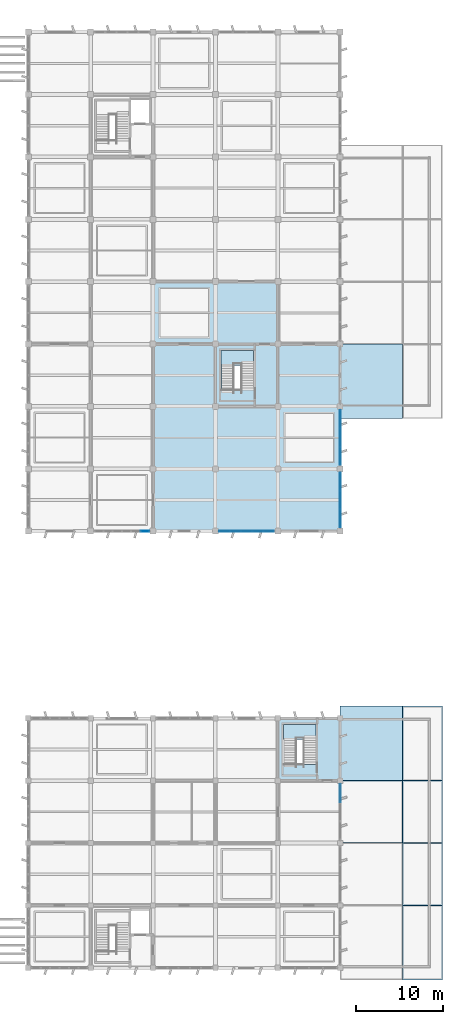
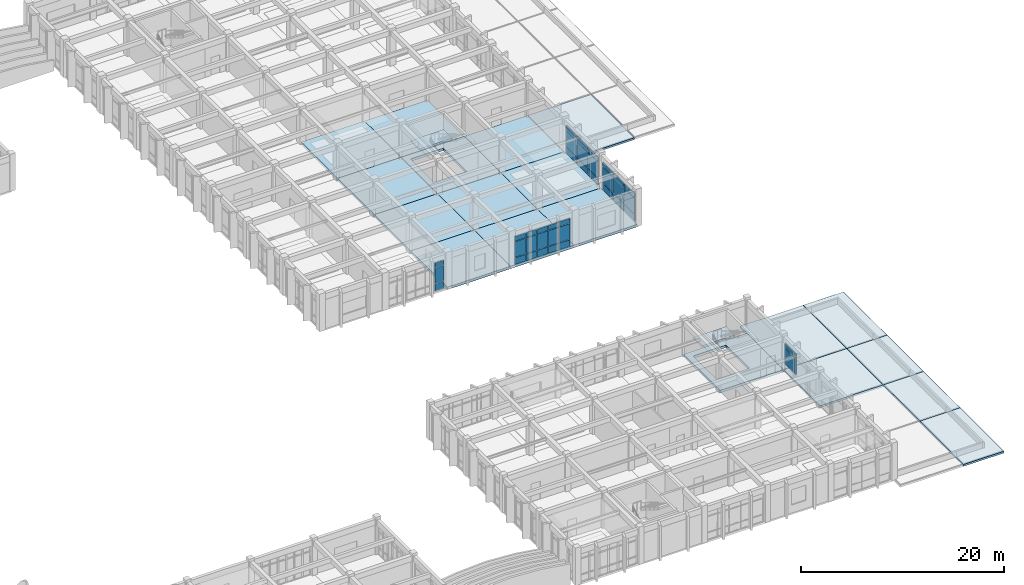
# One storey, part 51 of 81: 38 plates, 21 slabs, 7 elements without a shape of their own.
"""IFC4 building model written with IfcOpenShell, lengths in metres."""

from ifc_helpers import new_model, si_unit, direction, frame, origin, origin_2d, place, context, subcontext, project, spatial, polyline, rectangle, outline, extrude, material, layer, layer_set, type_object, element, aggregate, save


model = new_model("IFC4")

# Units and contexts
model_context = context("Model", 3, precision=1e-05, world=origin(), true_north=direction((0.0, 1.0)))
body_context = subcontext(model_context, "Body", "Model", "MODEL_VIEW")
ifc_project = project(units=[si_unit("LENGTHUNIT", "METRE"), si_unit("AREAUNIT", "SQUARE_METRE"), si_unit("VOLUMEUNIT", "CUBIC_METRE"), si_unit("PLANEANGLEUNIT", "RADIAN"), si_unit("MASSUNIT", "GRAM", prefix="KILO")], contexts=[model_context])

# Site, building, storey
site_placement = place(None, origin())
site = spatial("IfcSite", under=ifc_project, at=site_placement, CompositionType="ELEMENT")
building_placement = place(site_placement, origin())
building = spatial("IfcBuilding", under=site, at=building_placement, Name="Kavelor Marine Aquarium", CompositionType="ELEMENT")
storey_placement = place(building_placement, frame((0.0, 0.0, 4.679931640625)))
storey = spatial("IfcBuildingStorey", under=building, at=storey_placement, Name="L01", CompositionType="ELEMENT", Elevation=4.679931640625)

# Curtain wall, plates
ifc_material_1 = material(Name="Thermally Broken Aluminium and Low-E Glass", Category="aluminium")
ifc_layer_1 = layer(ifc_material_1, 0.179931640625)
ifc_layer_set_1 = layer_set([ifc_layer_1], Name="CW-SYS5")
curtain_wall_type_1 = type_object("IfcCurtainWallType", Name="CW-SYS5", PredefinedType="USERDEFINED", material=ifc_layer_set_1)
curtain_wall_1_placement = place(storey_placement, origin())
curtain_wall_1 = element("IfcCurtainWall", 1, at=curtain_wall_1_placement, inside=storey, type_object=curtain_wall_type_1, Name="cw:x:L01:17_07", ObjectType="Curtain Wall", PredefinedType="USERDEFINED")
ifc_material_2 = material(Name="Solar-Control Double Low-E Glazing", Category="glass")
ifc_layer_2 = layer(ifc_material_2, 0.08203125)
ifc_layer_set_2 = layer_set([ifc_layer_2], Name="CWP-29")
plate_type_1 = type_object("IfcPlateType", Name="CWP-29", PredefinedType="CURTAIN_PANEL", material=ifc_layer_set_2)
plate_1_placement = place(storey_placement, frame((131.8544921875, 53.199951171875, 0.06005859375), z_axis=(0.0, 0.0, 1.0), x_axis=(-1.0, 0.0, 0.0)))
plate_1 = element("IfcPlate", 2, at=plate_1_placement, type_object=plate_type_1, Name="CW05 panel 1.1", PredefinedType="CURTAIN_PANEL", context=body_context, shape_type="SweptSolid", body=[
    extrude(rectangle(XDim=0.970947265625, YDim=0.08203125, at=origin_2d()), origin(), (0.0, 0.0, 1.0), 0.81005859375),
])
plate_2_placement = place(storey_placement, frame((131.8544921875, 53.199951171875, 0.93017578125), z_axis=(0.0, 0.0, 1.0), x_axis=(-1.0, 0.0, 0.0)))
plate_2 = element("IfcPlate", 3, at=plate_2_placement, type_object=plate_type_1, Name="CW05 panel 1.2", PredefinedType="CURTAIN_PANEL", context=body_context, shape_type="SweptSolid", body=[
    extrude(rectangle(XDim=0.970947265625, YDim=0.08203125, at=origin_2d()), origin(), (0.0, 0.0, 1.0), 1.8798828125),
])
plate_3_placement = place(storey_placement, frame((131.8544921875, 53.199951171875, 2.8701171875), z_axis=(0.0, 0.0, 1.0), x_axis=(-1.0, 0.0, 0.0)))
plate_3 = element("IfcPlate", 4, at=plate_3_placement, type_object=plate_type_1, Name="CW05 panel 1.3", PredefinedType="CURTAIN_PANEL", context=body_context, shape_type="SweptSolid", body=[
    extrude(rectangle(XDim=0.970947265625, YDim=0.08203125, at=origin_2d()), origin(), (0.0, 0.0, 1.0), 0.56005859375),
])
aggregate(curtain_wall_1, [plate_1, plate_2, plate_3])

ifc_material_3 = material(Name="Thermally Broken Aluminium and Low-E Glass", Category="aluminium")
ifc_layer_3 = layer(ifc_material_3, 0.283935546875)
ifc_layer_set_3 = layer_set([ifc_layer_3], Name="CW-SYS18")
curtain_wall_type_2 = type_object("IfcCurtainWallType", Name="CW-SYS18", PredefinedType="USERDEFINED", material=ifc_layer_set_3)
curtain_wall_2_placement = place(storey_placement, origin())
curtain_wall_2 = element("IfcCurtainWall", 5, at=curtain_wall_2_placement, inside=storey, type_object=curtain_wall_type_2, Name="cw:y:L01:21_02", ObjectType="Curtain Wall", PredefinedType="USERDEFINED")
ifc_material_4 = material(Name="Solar-Control Double Low-E Glazing", Category="glass")
ifc_layer_4 = layer(ifc_material_4, 0.083984375)
ifc_layer_set_4 = layer_set([ifc_layer_4], Name="CWP-30")
plate_type_2 = type_object("IfcPlateType", Name="CWP-30", PredefinedType="CURTAIN_PANEL", material=ifc_layer_set_4)
plate_4_placement = place(storey_placement, frame((154.39990234375, 22.955078125, 0.9375), z_axis=(0.0, 0.0, 1.0), x_axis=(0.0, 1.0, 0.0)))
plate_4 = element("IfcPlate", 6, at=plate_4_placement, type_object=plate_type_2, Name="CW18 panel 3.2", PredefinedType="CURTAIN_PANEL", context=body_context, shape_type="SweptSolid", body=[
    extrude(rectangle(XDim=2.080078125, YDim=0.083984375, at=origin_2d()), origin(), (0.0, 0.0, 1.0), 1.864990234375),
])
plate_5_placement = place(storey_placement, frame((154.39990234375, 22.955078125, 2.87744140625), z_axis=(0.0, 0.0, 1.0), x_axis=(0.0, 1.0, 0.0)))
plate_5 = element("IfcPlate", 7, at=plate_5_placement, type_object=plate_type_2, Name="CW18 panel 3.3", PredefinedType="CURTAIN_PANEL", context=body_context, shape_type="SweptSolid", body=[
    extrude(rectangle(XDim=2.080078125, YDim=0.083984375, at=origin_2d()), origin(), (0.0, 0.0, 1.0), 0.53759765625),
])
aggregate(curtain_wall_2, [plate_4, plate_5])

ifc_material_5 = material(Name="Thermally Broken Aluminium and Low-E Glass", Category="aluminium")
ifc_layer_5 = layer(ifc_material_5, 0.2919921875)
ifc_layer_set_5 = layer_set([ifc_layer_5], Name="CW-SYS19")
curtain_wall_type_3 = type_object("IfcCurtainWallType", Name="CW-SYS19", PredefinedType="USERDEFINED", material=ifc_layer_set_5)
curtain_wall_3_placement = place(storey_placement, origin())
curtain_wall_3 = element("IfcCurtainWall", 8, at=curtain_wall_3_placement, inside=storey, type_object=curtain_wall_type_3, Name="cw:y:L01:21_07", ObjectType="Curtain Wall", PredefinedType="USERDEFINED")
ifc_material_6 = material(Name="Laminated Cast Acrylic Viewing Glazing", Category="glass")
ifc_layer_6 = layer(ifc_material_6, 0.0859375)
ifc_layer_set_6 = layer_set([ifc_layer_6], Name="CWP-31")
plate_type_3 = type_object("IfcPlateType", Name="CWP-31", PredefinedType="CURTAIN_PANEL", material=ifc_layer_set_6)
plate_6_placement = place(storey_placement, frame((154.39990234375, 54.68212890625, 0.074951171875), z_axis=(0.0, 0.0, 1.0), x_axis=(0.0, 1.0, 0.0)))
plate_6 = element("IfcPlate", 9, at=plate_6_placement, type_object=plate_type_3, Name="CW19 panel 1.1", PredefinedType="CURTAIN_PANEL", context=body_context, shape_type="SweptSolid", body=[
    extrude(rectangle(XDim=2.024169921875, YDim=0.0859375, at=origin_2d()), origin(), (0.0, 0.0, 1.0), 0.78759765625),
])
plate_7_placement = place(storey_placement, frame((154.39990234375, 54.68212890625, 0.9375), z_axis=(0.0, 0.0, 1.0), x_axis=(0.0, 1.0, 0.0)))
plate_7 = element("IfcPlate", 10, at=plate_7_placement, type_object=plate_type_3, Name="CW19 panel 1.2", PredefinedType="CURTAIN_PANEL", context=body_context, shape_type="SweptSolid", body=[
    extrude(rectangle(XDim=2.024169921875, YDim=0.0859375, at=origin_2d()), origin(), (0.0, 0.0, 1.0), 1.885009765625),
])
plate_8_placement = place(storey_placement, frame((154.39990234375, 54.68212890625, 2.8974609375), z_axis=(0.0, 0.0, 1.0), x_axis=(0.0, 1.0, 0.0)))
plate_8 = element("IfcPlate", 11, at=plate_8_placement, type_object=plate_type_3, Name="CW19 panel 1.3", PredefinedType="CURTAIN_PANEL", context=body_context, shape_type="SweptSolid", body=[
    extrude(rectangle(XDim=2.024169921875, YDim=0.0859375, at=origin_2d()), origin(), (0.0, 0.0, 1.0), 0.53759765625),
])
plate_9_placement = place(storey_placement, frame((154.39990234375, 56.800048828125, 0.074951171875), z_axis=(0.0, 0.0, 1.0), x_axis=(0.0, 1.0, 0.0)))
plate_9 = element("IfcPlate", 12, at=plate_9_placement, type_object=plate_type_3, Name="CW19 panel 2.1", PredefinedType="CURTAIN_PANEL", context=body_context, shape_type="SweptSolid", body=[
    extrude(rectangle(XDim=2.061767578125, YDim=0.0859375, at=origin_2d()), origin(), (0.0, 0.0, 1.0), 0.78759765625),
])
plate_10_placement = place(storey_placement, frame((154.39990234375, 56.800048828125, 0.9375), z_axis=(0.0, 0.0, 1.0), x_axis=(0.0, 1.0, 0.0)))
plate_10 = element("IfcPlate", 13, at=plate_10_placement, type_object=plate_type_3, Name="CW19 panel 2.2", PredefinedType="CURTAIN_PANEL", context=body_context, shape_type="SweptSolid", body=[
    extrude(rectangle(XDim=2.061767578125, YDim=0.0859375, at=origin_2d()), origin(), (0.0, 0.0, 1.0), 1.885009765625),
])
plate_11_placement = place(storey_placement, frame((154.39990234375, 56.800048828125, 2.8974609375), z_axis=(0.0, 0.0, 1.0), x_axis=(0.0, 1.0, 0.0)))
plate_11 = element("IfcPlate", 14, at=plate_11_placement, type_object=plate_type_3, Name="CW19 panel 2.3", PredefinedType="CURTAIN_PANEL", context=body_context, shape_type="SweptSolid", body=[
    extrude(rectangle(XDim=2.061767578125, YDim=0.0859375, at=origin_2d()), origin(), (0.0, 0.0, 1.0), 0.53759765625),
])
plate_12_placement = place(storey_placement, frame((154.39990234375, 58.91796875, 0.074951171875), z_axis=(0.0, 0.0, 1.0), x_axis=(0.0, 1.0, 0.0)))
plate_12 = element("IfcPlate", 15, at=plate_12_placement, type_object=plate_type_3, Name="CW19 panel 3.1", PredefinedType="CURTAIN_PANEL", context=body_context, shape_type="SweptSolid", body=[
    extrude(rectangle(XDim=2.024169921875, YDim=0.0859375, at=origin_2d()), origin(), (0.0, 0.0, 1.0), 0.78759765625),
])
plate_13_placement = place(storey_placement, frame((154.39990234375, 58.91796875, 0.9375), z_axis=(0.0, 0.0, 1.0), x_axis=(0.0, 1.0, 0.0)))
plate_13 = element("IfcPlate", 16, at=plate_13_placement, type_object=plate_type_3, Name="CW19 panel 3.2", PredefinedType="CURTAIN_PANEL", context=body_context, shape_type="SweptSolid", body=[
    extrude(rectangle(XDim=2.024169921875, YDim=0.0859375, at=origin_2d()), origin(), (0.0, 0.0, 1.0), 1.885009765625),
])
plate_14_placement = place(storey_placement, frame((154.39990234375, 58.91796875, 2.8974609375), z_axis=(0.0, 0.0, 1.0), x_axis=(0.0, 1.0, 0.0)))
plate_14 = element("IfcPlate", 17, at=plate_14_placement, type_object=plate_type_3, Name="CW19 panel 3.3", PredefinedType="CURTAIN_PANEL", context=body_context, shape_type="SweptSolid", body=[
    extrude(rectangle(XDim=2.024169921875, YDim=0.0859375, at=origin_2d()), origin(), (0.0, 0.0, 1.0), 0.53759765625),
])
aggregate(curtain_wall_3, [plate_6, plate_7, plate_8, plate_9, plate_10, plate_11, plate_12, plate_13, plate_14])

ifc_material_7 = material(Name="Thermally Broken Aluminium and Low-E Glass", Category="aluminium")
ifc_layer_7 = layer(ifc_material_7, 0.300048828125)
ifc_layer_set_7 = layer_set([ifc_layer_7], Name="CW-SYS20")
curtain_wall_type_4 = type_object("IfcCurtainWallType", Name="CW-SYS20", PredefinedType="USERDEFINED", material=ifc_layer_set_7)
curtain_wall_4_placement = place(storey_placement, origin())
curtain_wall_4 = element("IfcCurtainWall", 18, at=curtain_wall_4_placement, inside=storey, type_object=curtain_wall_type_4, Name="cw:y:L01:21_08", ObjectType="Curtain Wall", PredefinedType="USERDEFINED")
ifc_material_8 = material(Name="Laminated Cast Acrylic Viewing Glazing", Category="glass")
ifc_layer_8 = layer(ifc_material_8, 0.087890625)
ifc_layer_set_8 = layer_set([ifc_layer_8], Name="CWP-32")
plate_type_4 = type_object("IfcPlateType", Name="CWP-32", PredefinedType="CURTAIN_PANEL", material=ifc_layer_set_8)
plate_15_placement = place(storey_placement, frame((154.39990234375, 61.879638671875, 0.06494140625), z_axis=(0.0, 0.0, 1.0), x_axis=(0.0, 1.0, 0.0)))
plate_15 = element("IfcPlate", 19, at=plate_15_placement, type_object=plate_type_4, Name="CW20 panel 1.1", PredefinedType="CURTAIN_PANEL", context=body_context, shape_type="SweptSolid", body=[
    extrude(rectangle(XDim=2.0390625, YDim=0.087890625, at=origin_2d()), origin(), (0.0, 0.0, 1.0), 0.802490234375),
])
plate_16_placement = place(storey_placement, frame((154.39990234375, 61.879638671875, 0.9326171875), z_axis=(0.0, 0.0, 1.0), x_axis=(0.0, 1.0, 0.0)))
plate_16 = element("IfcPlate", 20, at=plate_16_placement, type_object=plate_type_4, Name="CW20 panel 1.2", PredefinedType="CURTAIN_PANEL", context=body_context, shape_type="SweptSolid", body=[
    extrude(rectangle(XDim=2.0390625, YDim=0.087890625, at=origin_2d()), origin(), (0.0, 0.0, 1.0), 1.875),
])
plate_17_placement = place(storey_placement, frame((154.39990234375, 61.879638671875, 2.87255859375), z_axis=(0.0, 0.0, 1.0), x_axis=(0.0, 1.0, 0.0)))
plate_17 = element("IfcPlate", 21, at=plate_17_placement, type_object=plate_type_4, Name="CW20 panel 1.3", PredefinedType="CURTAIN_PANEL", context=body_context, shape_type="SweptSolid", body=[
    extrude(rectangle(XDim=2.0390625, YDim=0.087890625, at=origin_2d()), origin(), (0.0, 0.0, 1.0), 0.552490234375),
])
plate_18_placement = place(storey_placement, frame((154.39990234375, 64.0, 0.06494140625), z_axis=(0.0, 0.0, 1.0), x_axis=(0.0, 1.0, 0.0)))
plate_18 = element("IfcPlate", 22, at=plate_18_placement, type_object=plate_type_4, Name="CW20 panel 2.1", PredefinedType="CURTAIN_PANEL", context=body_context, shape_type="SweptSolid", body=[
    extrude(rectangle(XDim=2.07177734375, YDim=0.087890625, at=origin_2d()), origin(), (0.0, 0.0, 1.0), 0.802490234375),
])
plate_19_placement = place(storey_placement, frame((154.39990234375, 64.0, 0.9326171875), z_axis=(0.0, 0.0, 1.0), x_axis=(0.0, 1.0, 0.0)))
plate_19 = element("IfcPlate", 23, at=plate_19_placement, type_object=plate_type_4, Name="CW20 panel 2.2", PredefinedType="CURTAIN_PANEL", context=body_context, shape_type="SweptSolid", body=[
    extrude(rectangle(XDim=2.07177734375, YDim=0.087890625, at=origin_2d()), origin(), (0.0, 0.0, 1.0), 1.875),
])
plate_20_placement = place(storey_placement, frame((154.39990234375, 64.0, 2.87255859375), z_axis=(0.0, 0.0, 1.0), x_axis=(0.0, 1.0, 0.0)))
plate_20 = element("IfcPlate", 24, at=plate_20_placement, type_object=plate_type_4, Name="CW20 panel 2.3", PredefinedType="CURTAIN_PANEL", context=body_context, shape_type="SweptSolid", body=[
    extrude(rectangle(XDim=2.07177734375, YDim=0.087890625, at=origin_2d()), origin(), (0.0, 0.0, 1.0), 0.552490234375),
])
plate_21_placement = place(storey_placement, frame((154.39990234375, 66.120361328125, 0.06494140625), z_axis=(0.0, 0.0, 1.0), x_axis=(0.0, 1.0, 0.0)))
plate_21 = element("IfcPlate", 25, at=plate_21_placement, type_object=plate_type_4, Name="CW20 panel 3.1", PredefinedType="CURTAIN_PANEL", context=body_context, shape_type="SweptSolid", body=[
    extrude(rectangle(XDim=2.0390625, YDim=0.087890625, at=origin_2d()), origin(), (0.0, 0.0, 1.0), 0.802490234375),
])
plate_22_placement = place(storey_placement, frame((154.39990234375, 66.120361328125, 0.9326171875), z_axis=(0.0, 0.0, 1.0), x_axis=(0.0, 1.0, 0.0)))
plate_22 = element("IfcPlate", 26, at=plate_22_placement, type_object=plate_type_4, Name="CW20 panel 3.2", PredefinedType="CURTAIN_PANEL", context=body_context, shape_type="SweptSolid", body=[
    extrude(rectangle(XDim=2.0390625, YDim=0.087890625, at=origin_2d()), origin(), (0.0, 0.0, 1.0), 1.875),
])
plate_23_placement = place(storey_placement, frame((154.39990234375, 66.120361328125, 2.87255859375), z_axis=(0.0, 0.0, 1.0), x_axis=(0.0, 1.0, 0.0)))
plate_23 = element("IfcPlate", 27, at=plate_23_placement, type_object=plate_type_4, Name="CW20 panel 3.3", PredefinedType="CURTAIN_PANEL", context=body_context, shape_type="SweptSolid", body=[
    extrude(rectangle(XDim=2.0390625, YDim=0.087890625, at=origin_2d()), origin(), (0.0, 0.0, 1.0), 0.552490234375),
])
aggregate(curtain_wall_4, [plate_15, plate_16, plate_17, plate_18, plate_19, plate_20, plate_21, plate_22, plate_23])

ifc_material_9 = material(Name="Thermally Broken Aluminium and Low-E Glass", Category="aluminium")
ifc_layer_9 = layer(ifc_material_9, 0.2119140625)
ifc_layer_set_9 = layer_set([ifc_layer_9], Name="CW-SYS9")
curtain_wall_type_5 = type_object("IfcCurtainWallType", Name="CW-SYS9", PredefinedType="USERDEFINED", material=ifc_layer_set_9)
curtain_wall_5_placement = place(storey_placement, origin())
curtain_wall_5 = element("IfcCurtainWall", 28, at=curtain_wall_5_placement, inside=storey, type_object=curtain_wall_type_5, Name="cw:x:L01:19_07", ObjectType="Curtain Wall", PredefinedType="USERDEFINED")
ifc_material_10 = material(Name="Laminated Cast Acrylic Viewing Glazing", Category="glass")
ifc_layer_10 = layer(ifc_material_10, 0.090087890625)
ifc_layer_set_10 = layer_set([ifc_layer_10], Name="CWP-33")
plate_type_5 = type_object("IfcPlateType", Name="CWP-33", PredefinedType="CURTAIN_PANEL", material=ifc_layer_set_10)
plate_24_placement = place(storey_placement, frame((146.14892578125, 53.199951171875, 0.06494140625), z_axis=(0.0, 0.0, 1.0), x_axis=(-1.0, 0.0, 0.0)))
plate_24 = element("IfcPlate", 29, at=plate_24_placement, type_object=plate_type_5, Name="CW09 panel 1.1", PredefinedType="CURTAIN_PANEL", context=body_context, shape_type="SweptSolid", body=[
    extrude(rectangle(XDim=1.19189453125, YDim=0.090087890625, at=origin_2d()), origin(), (0.0, 0.0, 1.0), 0.802490234375),
])
plate_25_placement = place(storey_placement, frame((146.14892578125, 53.199951171875, 0.9326171875), z_axis=(0.0, 0.0, 1.0), x_axis=(-1.0, 0.0, 0.0)))
plate_25 = element("IfcPlate", 30, at=plate_25_placement, type_object=plate_type_5, Name="CW09 panel 1.2", PredefinedType="CURTAIN_PANEL", context=body_context, shape_type="SweptSolid", body=[
    extrude(rectangle(XDim=1.19189453125, YDim=0.090087890625, at=origin_2d()), origin(), (0.0, 0.0, 1.0), 1.875),
])
plate_26_placement = place(storey_placement, frame((146.14892578125, 53.199951171875, 2.87255859375), z_axis=(0.0, 0.0, 1.0), x_axis=(-1.0, 0.0, 0.0)))
plate_26 = element("IfcPlate", 31, at=plate_26_placement, type_object=plate_type_5, Name="CW09 panel 1.3", PredefinedType="CURTAIN_PANEL", context=body_context, shape_type="SweptSolid", body=[
    extrude(rectangle(XDim=1.19189453125, YDim=0.090087890625, at=origin_2d()), origin(), (0.0, 0.0, 1.0), 0.552490234375),
])
plate_27_placement = place(storey_placement, frame((144.882080078125, 53.199951171875, 0.06494140625), z_axis=(0.0, 0.0, 1.0), x_axis=(-1.0, 0.0, 0.0)))
plate_27 = element("IfcPlate", 32, at=plate_27_placement, type_object=plate_type_5, Name="CW09 panel 2.1", PredefinedType="CURTAIN_PANEL", context=body_context, shape_type="SweptSolid", body=[
    extrude(rectangle(XDim=1.221923828125, YDim=0.090087890625, at=origin_2d()), origin(), (0.0, 0.0, 1.0), 0.802490234375),
])
plate_28_placement = place(storey_placement, frame((144.882080078125, 53.199951171875, 0.9326171875), z_axis=(0.0, 0.0, 1.0), x_axis=(-1.0, 0.0, 0.0)))
plate_28 = element("IfcPlate", 33, at=plate_28_placement, type_object=plate_type_5, Name="CW09 panel 2.2", PredefinedType="CURTAIN_PANEL", context=body_context, shape_type="SweptSolid", body=[
    extrude(rectangle(XDim=1.221923828125, YDim=0.090087890625, at=origin_2d()), origin(), (0.0, 0.0, 1.0), 1.875),
])
plate_29_placement = place(storey_placement, frame((144.882080078125, 53.199951171875, 2.87255859375), z_axis=(0.0, 0.0, 1.0), x_axis=(-1.0, 0.0, 0.0)))
plate_29 = element("IfcPlate", 34, at=plate_29_placement, type_object=plate_type_5, Name="CW09 panel 2.3", PredefinedType="CURTAIN_PANEL", context=body_context, shape_type="SweptSolid", body=[
    extrude(rectangle(XDim=1.221923828125, YDim=0.090087890625, at=origin_2d()), origin(), (0.0, 0.0, 1.0), 0.552490234375),
])
plate_30_placement = place(storey_placement, frame((143.60009765625, 53.199951171875, 0.06494140625), z_axis=(0.0, 0.0, 1.0), x_axis=(-1.0, 0.0, 0.0)))
plate_30 = element("IfcPlate", 35, at=plate_30_placement, type_object=plate_type_5, Name="CW09 panel 3.1", PredefinedType="CURTAIN_PANEL", context=body_context, shape_type="SweptSolid", body=[
    extrude(rectangle(XDim=1.221923828125, YDim=0.090087890625, at=origin_2d()), origin(), (0.0, 0.0, 1.0), 0.802490234375),
])
plate_31_placement = place(storey_placement, frame((143.60009765625, 53.199951171875, 0.9326171875), z_axis=(0.0, 0.0, 1.0), x_axis=(-1.0, 0.0, 0.0)))
plate_31 = element("IfcPlate", 36, at=plate_31_placement, type_object=plate_type_5, Name="CW09 panel 3.2", PredefinedType="CURTAIN_PANEL", context=body_context, shape_type="SweptSolid", body=[
    extrude(rectangle(XDim=1.221923828125, YDim=0.090087890625, at=origin_2d()), origin(), (0.0, 0.0, 1.0), 1.875),
])
plate_32_placement = place(storey_placement, frame((143.60009765625, 53.199951171875, 2.87255859375), z_axis=(0.0, 0.0, 1.0), x_axis=(-1.0, 0.0, 0.0)))
plate_32 = element("IfcPlate", 37, at=plate_32_placement, type_object=plate_type_5, Name="CW09 panel 3.3", PredefinedType="CURTAIN_PANEL", context=body_context, shape_type="SweptSolid", body=[
    extrude(rectangle(XDim=1.221923828125, YDim=0.090087890625, at=origin_2d()), origin(), (0.0, 0.0, 1.0), 0.552490234375),
])
plate_33_placement = place(storey_placement, frame((142.318115234375, 53.199951171875, 0.06494140625), z_axis=(0.0, 0.0, 1.0), x_axis=(-1.0, 0.0, 0.0)))
plate_33 = element("IfcPlate", 38, at=plate_33_placement, type_object=plate_type_5, Name="CW09 panel 4.1", PredefinedType="CURTAIN_PANEL", context=body_context, shape_type="SweptSolid", body=[
    extrude(rectangle(XDim=1.221923828125, YDim=0.090087890625, at=origin_2d()), origin(), (0.0, 0.0, 1.0), 0.802490234375),
])
plate_34_placement = place(storey_placement, frame((142.318115234375, 53.199951171875, 0.9326171875), z_axis=(0.0, 0.0, 1.0), x_axis=(-1.0, 0.0, 0.0)))
plate_34 = element("IfcPlate", 39, at=plate_34_placement, type_object=plate_type_5, Name="CW09 panel 4.2", PredefinedType="CURTAIN_PANEL", context=body_context, shape_type="SweptSolid", body=[
    extrude(rectangle(XDim=1.221923828125, YDim=0.090087890625, at=origin_2d()), origin(), (0.0, 0.0, 1.0), 1.875),
])
plate_35_placement = place(storey_placement, frame((142.318115234375, 53.199951171875, 2.87255859375), z_axis=(0.0, 0.0, 1.0), x_axis=(-1.0, 0.0, 0.0)))
plate_35 = element("IfcPlate", 40, at=plate_35_placement, type_object=plate_type_5, Name="CW09 panel 4.3", PredefinedType="CURTAIN_PANEL", context=body_context, shape_type="SweptSolid", body=[
    extrude(rectangle(XDim=1.221923828125, YDim=0.090087890625, at=origin_2d()), origin(), (0.0, 0.0, 1.0), 0.552490234375),
])
plate_36_placement = place(storey_placement, frame((141.051025390625, 53.199951171875, 0.06494140625), z_axis=(0.0, 0.0, 1.0), x_axis=(-1.0, 0.0, 0.0)))
plate_36 = element("IfcPlate", 41, at=plate_36_placement, type_object=plate_type_5, Name="CW09 panel 5.1", PredefinedType="CURTAIN_PANEL", context=body_context, shape_type="SweptSolid", body=[
    extrude(rectangle(XDim=1.19189453125, YDim=0.090087890625, at=origin_2d()), origin(), (0.0, 0.0, 1.0), 0.802490234375),
])
plate_37_placement = place(storey_placement, frame((141.051025390625, 53.199951171875, 0.9326171875), z_axis=(0.0, 0.0, 1.0), x_axis=(-1.0, 0.0, 0.0)))
plate_37 = element("IfcPlate", 42, at=plate_37_placement, type_object=plate_type_5, Name="CW09 panel 5.2", PredefinedType="CURTAIN_PANEL", context=body_context, shape_type="SweptSolid", body=[
    extrude(rectangle(XDim=1.19189453125, YDim=0.090087890625, at=origin_2d()), origin(), (0.0, 0.0, 1.0), 1.875),
])
plate_38_placement = place(storey_placement, frame((141.051025390625, 53.199951171875, 2.87255859375), z_axis=(0.0, 0.0, 1.0), x_axis=(-1.0, 0.0, 0.0)))
plate_38 = element("IfcPlate", 43, at=plate_38_placement, type_object=plate_type_5, Name="CW09 panel 5.3", PredefinedType="CURTAIN_PANEL", context=body_context, shape_type="SweptSolid", body=[
    extrude(rectangle(XDim=1.19189453125, YDim=0.090087890625, at=origin_2d()), origin(), (0.0, 0.0, 1.0), 0.552490234375),
])
aggregate(curtain_wall_5, [plate_24, plate_25, plate_26, plate_27, plate_28, plate_29, plate_30, plate_31, plate_32, plate_33, plate_34, plate_35, plate_36, plate_37, plate_38])

# Stair, slab
ifc_material_11 = material(Name="Concrete C40/50", Category="concrete")
stair_type = type_object("IfcStairType", Name="ST-T2", PredefinedType="HALF_TURN_STAIR", material=ifc_material_11)
stair_1_placement = place(storey_placement, origin())
stair_1 = element("IfcStair", 44, at=stair_1_placement, inside=storey, type_object=stair_type, Name="Exit Stair ST09 (L01)", PredefinedType="HALF_TURN_STAIR")
ifc_material_12 = material(Name="Concrete C40/50", Category="concrete")
ifc_layer_11 = layer(ifc_material_12, 0.199951171875)
ifc_layer_set_11 = layer_set([ifc_layer_11], Name="LND-T2")
slab_type_1 = type_object("IfcSlabType", Name="LND-T2", PredefinedType="LANDING", material=ifc_layer_set_11)
slab_1_placement = place(storey_placement, frame((0.0, 0.0, 2.050048828125)))
slab_1 = element("IfcSlab", 45, at=slab_1_placement, type_object=slab_type_1, Name="ST09 landing 1", PredefinedType="LANDING", context=body_context, shape_type="SweptSolid", body=[
    extrude(outline(polyline([(147.860107421875, 29.139892578125), (151.6201171875, 29.139892578125), (151.6201171875, 30.860107421875), (147.860107421875, 30.860107421875), (147.860107421875, 29.139892578125)])), origin(), (0.0, 0.0, 1.0), 0.199951171875),
])
aggregate(stair_1, [slab_1])

stair_2_placement = place(storey_placement, origin())
stair_2 = element("IfcStair", 46, at=stair_2_placement, inside=storey, type_object=stair_type, Name="Exit Stair ST11 (L01)", PredefinedType="HALF_TURN_STAIR")
slab_2_placement = place(storey_placement, frame((0.0, 0.0, 2.050048828125)))
slab_2 = element("IfcSlab", 47, at=slab_2_placement, type_object=slab_type_1, Name="ST11 landing 1", PredefinedType="LANDING", context=body_context, shape_type="SweptSolid", body=[
    extrude(outline(polyline([(140.659912109375, 72.340087890625), (144.419921875, 72.340087890625), (144.419921875, 74.06005859375), (140.659912109375, 74.06005859375), (140.659912109375, 72.340087890625)])), origin(), (0.0, 0.0, 1.0), 0.199951171875),
])
aggregate(stair_2, [slab_2])

# Slabs
ifc_material_13 = material(Name="Concrete C40/50", Category="concrete")
ifc_layer_12 = layer(ifc_material_13, 0.300048828125)
ifc_layer_set_12 = layer_set([ifc_layer_12], Name="SL-FL1")
slab_type_2 = type_object("IfcSlabType", Name="SL-FL1", PredefinedType="FLOOR", material=ifc_layer_set_12)
slab_3_placement = place(storey_placement, frame((0.0, 0.0, -0.300048828125)))
element("IfcSlab", 48, at=slab_3_placement, inside=storey, type_object=slab_type_2, Name="slab:L01:18_07", PredefinedType="FLOOR", context=body_context, shape_type="SweptSolid", body=[
    extrude(outline(polyline([(132.800048828125, 53.199951171875), (140.0, 53.199951171875), (140.0, 60.39990234375), (132.800048828125, 60.39990234375), (132.800048828125, 53.199951171875)])), origin(), (0.0, 0.0, 1.0), 0.300048828125),
])
slab_4_placement = place(storey_placement, frame((0.0, 0.0, -0.300048828125)))
element("IfcSlab", 49, at=slab_4_placement, inside=storey, type_object=slab_type_2, Name="slab:L01:18_08", PredefinedType="FLOOR", context=body_context, shape_type="SweptSolid", body=[
    extrude(outline(polyline([(132.800048828125, 60.39990234375), (140.0, 60.39990234375), (140.0, 67.60009765625), (132.800048828125, 67.60009765625), (132.800048828125, 60.39990234375)])), origin(), (0.0, 0.0, 1.0), 0.300048828125),
])
slab_5_placement = place(storey_placement, frame((0.0, 0.0, -0.300048828125)))
element("IfcSlab", 50, at=slab_5_placement, inside=storey, type_object=slab_type_2, Name="slab:L01:18_09", PredefinedType="FLOOR", context=body_context, shape_type="SweptSolid", body=[
    extrude(outline(polyline([(132.800048828125, 67.60009765625), (140.0, 67.60009765625), (140.0, 74.800048828125), (132.800048828125, 74.800048828125), (132.800048828125, 67.60009765625)])), origin(), (0.0, 0.0, 1.0), 0.300048828125),
])
slab_6_placement = place(storey_placement, frame((0.0, 0.0, -0.300048828125)))
element("IfcSlab", 51, at=slab_6_placement, inside=storey, type_object=slab_type_2, Name="slab:L01:18_10", PredefinedType="FLOOR", context=body_context, shape_type="SweptSolid", body=[
    extrude(outline(polyline([(132.800048828125, 74.800048828125), (140.0, 74.800048828125), (140.0, 82.0), (132.800048828125, 82.0), (132.800048828125, 74.800048828125)])), origin(), (0.0, 0.0, 1.0), 0.300048828125),
])
slab_7_placement = place(storey_placement, frame((0.0, 0.0, -0.300048828125)))
element("IfcSlab", 52, at=slab_7_placement, inside=storey, type_object=slab_type_2, Name="slab:L01:19_07", PredefinedType="FLOOR", context=body_context, shape_type="SweptSolid", body=[
    extrude(outline(polyline([(140.0, 53.199951171875), (147.199951171875, 53.199951171875), (147.199951171875, 60.39990234375), (140.0, 60.39990234375), (140.0, 53.199951171875)])), origin(), (0.0, 0.0, 1.0), 0.300048828125),
])
slab_8_placement = place(storey_placement, frame((0.0, 0.0, -0.300048828125)))
element("IfcSlab", 53, at=slab_8_placement, inside=storey, type_object=slab_type_2, Name="slab:L01:19_08", PredefinedType="FLOOR", context=body_context, shape_type="SweptSolid", body=[
    extrude(outline(polyline([(140.0, 60.39990234375), (147.199951171875, 60.39990234375), (147.199951171875, 67.60009765625), (140.0, 67.60009765625), (140.0, 60.39990234375)])), origin(), (0.0, 0.0, 1.0), 0.300048828125),
])
slab_9_placement = place(storey_placement, frame((0.0, 0.0, -0.300048828125)))
element("IfcSlab", 54, at=slab_9_placement, inside=storey, type_object=slab_type_2, Name="slab:L01:19_09", PredefinedType="FLOOR", context=body_context, shape_type="SweptSolid", body=[
    extrude(outline(polyline([(140.0, 67.60009765625), (147.199951171875, 67.60009765625), (147.199951171875, 74.800048828125), (140.0, 74.800048828125), (140.0, 67.60009765625)]), holes=[polyline([(140.679931640625, 69.48291015625), (144.39990234375, 69.48291015625), (144.39990234375, 74.070068359375), (140.679931640625, 74.070068359375), (140.679931640625, 69.48291015625)])]), origin(), (0.0, 0.0, 1.0), 0.300048828125),
])
slab_10_placement = place(storey_placement, frame((0.0, 0.0, -0.300048828125)))
element("IfcSlab", 55, at=slab_10_placement, inside=storey, type_object=slab_type_2, Name="slab:L01:19_10", PredefinedType="FLOOR", context=body_context, shape_type="SweptSolid", body=[
    extrude(outline(polyline([(140.0, 74.800048828125), (147.199951171875, 74.800048828125), (147.199951171875, 82.0), (140.0, 82.0), (140.0, 74.800048828125)])), origin(), (0.0, 0.0, 1.0), 0.300048828125),
])
slab_11_placement = place(storey_placement, frame((0.0, 0.0, -0.300048828125)))
element("IfcSlab", 56, at=slab_11_placement, inside=storey, type_object=slab_type_2, Name="slab:L01:20_03", PredefinedType="FLOOR", context=body_context, shape_type="SweptSolid", body=[
    extrude(outline(polyline([(147.199951171875, 24.39990234375), (154.39990234375, 24.39990234375), (154.39990234375, 31.60009765625), (147.199951171875, 31.60009765625), (147.199951171875, 24.39990234375)]), holes=[polyline([(147.8798828125, 26.282958984375), (151.60009765625, 26.282958984375), (151.60009765625, 30.8701171875), (147.8798828125, 30.8701171875), (147.8798828125, 26.282958984375)])]), origin(), (0.0, 0.0, 1.0), 0.300048828125),
])
slab_12_placement = place(storey_placement, frame((0.0, 0.0, -0.300048828125)))
element("IfcSlab", 57, at=slab_12_placement, inside=storey, type_object=slab_type_2, Name="slab:L01:20_07", PredefinedType="FLOOR", context=body_context, shape_type="SweptSolid", body=[
    extrude(outline(polyline([(147.199951171875, 53.199951171875), (154.39990234375, 53.199951171875), (154.39990234375, 60.39990234375), (147.199951171875, 60.39990234375), (147.199951171875, 53.199951171875)])), origin(), (0.0, 0.0, 1.0), 0.300048828125),
])
slab_13_placement = place(storey_placement, frame((0.0, 0.0, -0.300048828125)))
element("IfcSlab", 58, at=slab_13_placement, inside=storey, type_object=slab_type_2, Name="slab:L01:20_08", PredefinedType="FLOOR", context=body_context, shape_type="SweptSolid", body=[
    extrude(outline(polyline([(147.199951171875, 60.39990234375), (154.39990234375, 60.39990234375), (154.39990234375, 67.60009765625), (147.199951171875, 67.60009765625), (147.199951171875, 60.39990234375)])), origin(), (0.0, 0.0, 1.0), 0.300048828125),
])
slab_14_placement = place(storey_placement, frame((0.0, 0.0, -0.300048828125)))
element("IfcSlab", 59, at=slab_14_placement, inside=storey, type_object=slab_type_2, Name="slab:L01:20_09", PredefinedType="FLOOR", context=body_context, shape_type="SweptSolid", body=[
    extrude(outline(polyline([(147.199951171875, 67.60009765625), (154.39990234375, 67.60009765625), (154.39990234375, 74.800048828125), (147.199951171875, 74.800048828125), (147.199951171875, 67.60009765625)])), origin(), (0.0, 0.0, 1.0), 0.300048828125),
])
ifc_material_14 = material(Name="Concrete C40/50", Category="concrete")
ifc_layer_13 = layer(ifc_material_14, 0.219970703125)
ifc_layer_set_13 = layer_set([ifc_layer_13], Name="SL-RF3")
slab_type_3 = type_object("IfcSlabType", Name="SL-RF3", PredefinedType="ROOF", material=ifc_layer_set_13)
slab_15_placement = place(storey_placement, frame((0.0, 0.0, -0.219970703125)))
element("IfcSlab", 60, at=slab_15_placement, inside=storey, type_object=slab_type_3, Name="roof:L01:21_02", PredefinedType="ROOF", context=body_context, shape_type="SweptSolid", body=[
    extrude(outline(polyline([(154.39990234375, 17.199951171875), (161.60009765625, 17.199951171875), (161.60009765625, 24.39990234375), (154.39990234375, 24.39990234375), (154.39990234375, 17.199951171875)])), origin(), (0.0, 0.0, 1.0), 0.219970703125),
])
slab_16_placement = place(storey_placement, frame((0.0, 0.0, -0.219970703125)))
element("IfcSlab", 61, at=slab_16_placement, inside=storey, type_object=slab_type_3, Name="roof:L01:21_03", PredefinedType="ROOF", context=body_context, shape_type="SweptSolid", body=[
    extrude(outline(polyline([(154.39990234375, 24.39990234375), (161.60009765625, 24.39990234375), (161.60009765625, 33.0), (154.39990234375, 33.0), (154.39990234375, 24.39990234375)])), origin(), (0.0, 0.0, 1.0), 0.219970703125),
])
slab_17_placement = place(storey_placement, frame((0.0, 0.0, -0.219970703125)))
element("IfcSlab", 62, at=slab_17_placement, inside=storey, type_object=slab_type_3, Name="roof:L01:21_09", PredefinedType="ROOF", context=body_context, shape_type="SweptSolid", body=[
    extrude(outline(polyline([(154.39990234375, 66.199951171875), (161.60009765625, 66.199951171875), (161.60009765625, 74.800048828125), (154.39990234375, 74.800048828125), (154.39990234375, 66.199951171875)])), origin(), (0.0, 0.0, 1.0), 0.219970703125),
])
slab_18_placement = place(storey_placement, frame((0.0, 0.0, -0.219970703125)))
element("IfcSlab", 63, at=slab_18_placement, inside=storey, type_object=slab_type_3, Name="roof:L01:22_00", PredefinedType="ROOF", context=body_context, shape_type="SweptSolid", body=[
    extrude(outline(polyline([(161.60009765625, 1.39990234375), (166.199951171875, 1.39990234375), (166.199951171875, 10.0), (161.60009765625, 10.0), (161.60009765625, 1.39990234375)])), origin(), (0.0, 0.0, 1.0), 0.219970703125),
])
slab_19_placement = place(storey_placement, frame((0.0, 0.0, -0.219970703125)))
element("IfcSlab", 64, at=slab_19_placement, inside=storey, type_object=slab_type_3, Name="roof:L01:22_01", PredefinedType="ROOF", context=body_context, shape_type="SweptSolid", body=[
    extrude(outline(polyline([(161.60009765625, 10.0), (166.199951171875, 10.0), (166.199951171875, 17.199951171875), (161.60009765625, 17.199951171875), (161.60009765625, 10.0)])), origin(), (0.0, 0.0, 1.0), 0.219970703125),
])
slab_20_placement = place(storey_placement, frame((0.0, 0.0, -0.219970703125)))
element("IfcSlab", 65, at=slab_20_placement, inside=storey, type_object=slab_type_3, Name="roof:L01:22_02", PredefinedType="ROOF", context=body_context, shape_type="SweptSolid", body=[
    extrude(outline(polyline([(161.60009765625, 17.199951171875), (166.199951171875, 17.199951171875), (166.199951171875, 24.39990234375), (161.60009765625, 24.39990234375), (161.60009765625, 17.199951171875)])), origin(), (0.0, 0.0, 1.0), 0.219970703125),
])
slab_21_placement = place(storey_placement, frame((0.0, 0.0, -0.219970703125)))
element("IfcSlab", 66, at=slab_21_placement, inside=storey, type_object=slab_type_3, Name="roof:L01:22_03", PredefinedType="ROOF", context=body_context, shape_type="SweptSolid", body=[
    extrude(outline(polyline([(161.60009765625, 24.39990234375), (166.199951171875, 24.39990234375), (166.199951171875, 33.0), (161.60009765625, 33.0), (161.60009765625, 24.39990234375)])), origin(), (0.0, 0.0, 1.0), 0.219970703125),
])

save(model, "model.ifc")
